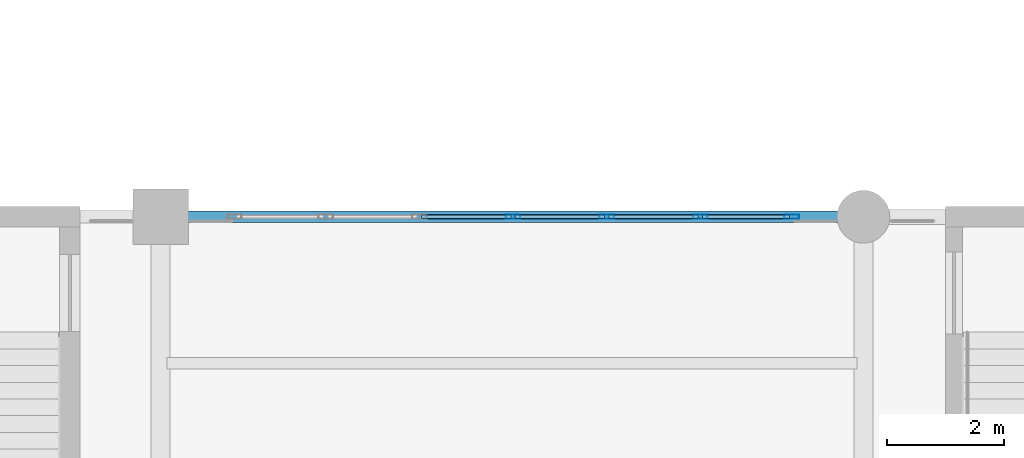
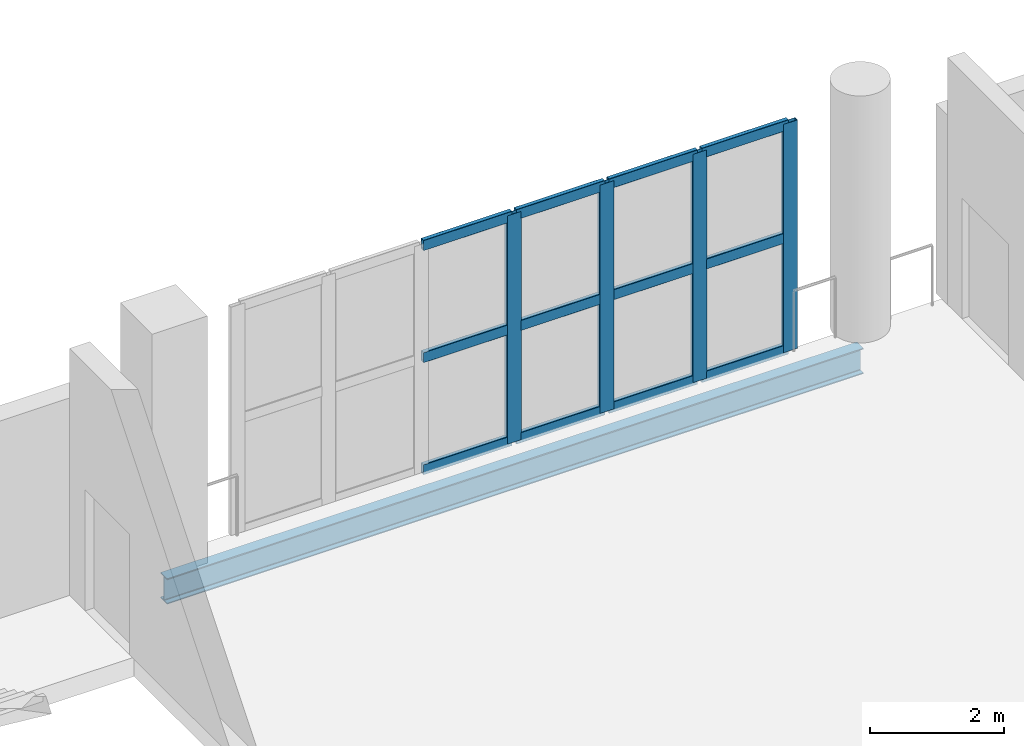
# One storey, part 47 of 90: 16 members, 1 beam, 1 element without a shape of its own.
"""IFC4 building model written with IfcOpenShell, lengths in metres."""

from ifc_helpers import new_model, si_unit, direction, frame, origin, origin_2d, place, context, subcontext, project, spatial, hollow_rectangle, i_section, extrude, material, layer, layer_set, material_profile, profile_set, type_object, element, aggregate, save


model = new_model("IFC4")

# Units and contexts
model_context = context("Model", 3, precision=1e-05, world=origin(), true_north=direction((0.0, 1.0)))
body_context = subcontext(model_context, "Body", "Model", "MODEL_VIEW")
ifc_project = project(units=[si_unit("LENGTHUNIT", "METRE"), si_unit("AREAUNIT", "SQUARE_METRE"), si_unit("VOLUMEUNIT", "CUBIC_METRE"), si_unit("PLANEANGLEUNIT", "RADIAN"), si_unit("MASSUNIT", "GRAM", prefix="KILO")], contexts=[model_context])

# Site, building, storey
site_placement = place(None, origin())
site = spatial("IfcSite", under=ifc_project, at=site_placement, CompositionType="ELEMENT")
building_placement = place(site_placement, origin())
building = spatial("IfcBuilding", under=site, at=building_placement, Name="Brinegate Civic Arena", CompositionType="ELEMENT")
storey_placement = place(building_placement, frame((0.0, 0.0, 14.699951171875)))
storey = spatial("IfcBuildingStorey", under=building, at=storey_placement, Name="L03", CompositionType="ELEMENT", Elevation=14.699951171875)

# Curtain wall, members
ifc_material_1 = material(Name="Marine grade aluminium", Category="aluminium")
ifc_layer = layer(ifc_material_1, 0.199951171875, Name="Marine grade aluminium")
ifc_layer_set = layer_set([ifc_layer], Name="Marine grade aluminium")
curtain_wall_type = type_object("IfcCurtainWallType", Name="CW-BOWL-GLAZED-01", PredefinedType="USERDEFINED", material=ifc_layer_set)
curtain_wall_placement = place(storey_placement, origin())
curtain_wall = element("IfcCurtainWall", 1, at=curtain_wall_placement, inside=storey, type_object=curtain_wall_type, Name="Curtain Wall CWA-132", ObjectType="GLAZED CURTAIN WALL", PredefinedType="USERDEFINED")
ifc_material_profile_1 = material_profile(ifc_material_1, hollow_rectangle(XDim=0.074951171875, YDim=0.25, WallThickness=0.006103515625, InnerFilletRadius=0.00390625, OuterFilletRadius=0.008056640625, at=origin_2d()), Name="MUL75X250")
ifc_profile_set_1 = profile_set([ifc_material_profile_1], Name="Marine grade aluminium")
member_type_1 = type_object("IfcMemberType", Name="CW-MULLION-75X250", PredefinedType="MULLION", material=ifc_profile_set_1)
member_1_placement = place(storey_placement, frame((150.01806640625, 114.0, 0.0), z_axis=(0.0, 0.0, 1.0), x_axis=(0.0, 1.0, 0.0)))
member_1 = element("IfcMember", 2, at=member_1_placement, type_object=member_type_1, Name="CWA-132 mullion 4", PredefinedType="MULLION", context=body_context, shape_type="SweptSolid", body=[
    extrude(hollow_rectangle(XDim=0.074951171875, YDim=0.25, WallThickness=0.006103515625, InnerFilletRadius=0.00390625, OuterFilletRadius=0.008056640625, at=origin_2d()), origin(), (0.0, 0.0, 1.0), 4.16015625),
])
member_2_placement = place(storey_placement, frame((151.61669921875, 114.0, 0.0), z_axis=(0.0, 0.0, 1.0), x_axis=(0.0, 1.0, 0.0)))
member_2 = element("IfcMember", 3, at=member_2_placement, type_object=member_type_1, Name="CWA-132 mullion 5", PredefinedType="MULLION", context=body_context, shape_type="SweptSolid", body=[
    extrude(hollow_rectangle(XDim=0.074951171875, YDim=0.25, WallThickness=0.006103515625, InnerFilletRadius=0.00390625, OuterFilletRadius=0.008056640625, at=origin_2d()), origin(), (0.0, 0.0, 1.0), 4.16015625),
])
member_3_placement = place(storey_placement, frame((153.21533203125, 114.0, 0.0), z_axis=(0.0, 0.0, 1.0), x_axis=(0.0, 1.0, 0.0)))
member_3 = element("IfcMember", 4, at=member_3_placement, type_object=member_type_1, Name="CWA-132 mullion 6", PredefinedType="MULLION", context=body_context, shape_type="SweptSolid", body=[
    extrude(hollow_rectangle(XDim=0.074951171875, YDim=0.25, WallThickness=0.006103515625, InnerFilletRadius=0.00390625, OuterFilletRadius=0.008056640625, at=origin_2d()), origin(), (0.0, 0.0, 1.0), 4.16015625),
])
member_4_placement = place(storey_placement, frame((154.776611328125, 114.0, 0.0), z_axis=(0.0, 0.0, 1.0), x_axis=(0.0, 1.0, 0.0)))
member_4 = element("IfcMember", 5, at=member_4_placement, type_object=member_type_1, Name="CWA-132 mullion 7", PredefinedType="MULLION", context=body_context, shape_type="SweptSolid", body=[
    extrude(hollow_rectangle(XDim=0.074951171875, YDim=0.25, WallThickness=0.006103515625, InnerFilletRadius=0.00390625, OuterFilletRadius=0.008056640625, at=origin_2d()), origin(), (0.0, 0.0, 1.0), 4.16015625),
])
ifc_material_profile_2 = material_profile(ifc_material_1, hollow_rectangle(XDim=0.074951171875, YDim=0.18994140625, WallThickness=0.006103515625, InnerFilletRadius=0.00390625, OuterFilletRadius=0.008056640625, at=origin_2d()), Name="TRN75X190")
ifc_profile_set_2 = profile_set([ifc_material_profile_2], Name="Marine grade aluminium")
member_type_2 = type_object("IfcMemberType", Name="CW-TRANSOM-75X190", PredefinedType="USERDEFINED", material=ifc_profile_set_2)
member_5_placement = place(storey_placement, frame((148.456787109375, 114.0, 0.03759765625), z_axis=(1.0, 0.0, 0.0), x_axis=(0.0, 1.0, 0.0)))
member_5 = element("IfcMember", 6, at=member_5_placement, type_object=member_type_2, Name="CWA-132 transom 3.1", ObjectType="TRANSOM", PredefinedType="USERDEFINED", context=body_context, shape_type="SweptSolid", body=[
    extrude(hollow_rectangle(XDim=0.074951171875, YDim=0.18994140625, WallThickness=0.006103515625, InnerFilletRadius=0.00390625, OuterFilletRadius=0.008056640625, at=origin_2d()), origin(), (0.0, 0.0, 1.0), 1.523681640625),
])
member_6_placement = place(storey_placement, frame((148.456787109375, 114.0, 2.080078125), z_axis=(1.0, 0.0, 0.0), x_axis=(0.0, 1.0, 0.0)))
member_6 = element("IfcMember", 7, at=member_6_placement, type_object=member_type_2, Name="CWA-132 transom 3.2", ObjectType="TRANSOM", PredefinedType="USERDEFINED", context=body_context, shape_type="SweptSolid", body=[
    extrude(hollow_rectangle(XDim=0.074951171875, YDim=0.18994140625, WallThickness=0.006103515625, InnerFilletRadius=0.00390625, OuterFilletRadius=0.008056640625, at=origin_2d()), origin(), (0.0, 0.0, 1.0), 1.523681640625),
])
member_7_placement = place(storey_placement, frame((148.456787109375, 114.0, 4.12255859375), z_axis=(1.0, 0.0, 0.0), x_axis=(0.0, 1.0, 0.0)))
member_7 = element("IfcMember", 8, at=member_7_placement, type_object=member_type_2, Name="CWA-132 transom 3.3", ObjectType="TRANSOM", PredefinedType="USERDEFINED", context=body_context, shape_type="SweptSolid", body=[
    extrude(hollow_rectangle(XDim=0.074951171875, YDim=0.18994140625, WallThickness=0.006103515625, InnerFilletRadius=0.00390625, OuterFilletRadius=0.008056640625, at=origin_2d()), origin(), (0.0, 0.0, 1.0), 1.523681640625),
])
member_8_placement = place(storey_placement, frame((150.055419921875, 114.0, 0.03759765625), z_axis=(1.0, 0.0, 0.0), x_axis=(0.0, 1.0, 0.0)))
member_8 = element("IfcMember", 9, at=member_8_placement, type_object=member_type_2, Name="CWA-132 transom 4.1", ObjectType="TRANSOM", PredefinedType="USERDEFINED", context=body_context, shape_type="SweptSolid", body=[
    extrude(hollow_rectangle(XDim=0.074951171875, YDim=0.18994140625, WallThickness=0.006103515625, InnerFilletRadius=0.00390625, OuterFilletRadius=0.008056640625, at=origin_2d()), origin(), (0.0, 0.0, 1.0), 1.523681640625),
])
member_9_placement = place(storey_placement, frame((150.055419921875, 114.0, 2.080078125), z_axis=(1.0, 0.0, 0.0), x_axis=(0.0, 1.0, 0.0)))
member_9 = element("IfcMember", 10, at=member_9_placement, type_object=member_type_2, Name="CWA-132 transom 4.2", ObjectType="TRANSOM", PredefinedType="USERDEFINED", context=body_context, shape_type="SweptSolid", body=[
    extrude(hollow_rectangle(XDim=0.074951171875, YDim=0.18994140625, WallThickness=0.006103515625, InnerFilletRadius=0.00390625, OuterFilletRadius=0.008056640625, at=origin_2d()), origin(), (0.0, 0.0, 1.0), 1.523681640625),
])
member_10_placement = place(storey_placement, frame((150.055419921875, 114.0, 4.12255859375), z_axis=(1.0, 0.0, 0.0), x_axis=(0.0, 1.0, 0.0)))
member_10 = element("IfcMember", 11, at=member_10_placement, type_object=member_type_2, Name="CWA-132 transom 4.3", ObjectType="TRANSOM", PredefinedType="USERDEFINED", context=body_context, shape_type="SweptSolid", body=[
    extrude(hollow_rectangle(XDim=0.074951171875, YDim=0.18994140625, WallThickness=0.006103515625, InnerFilletRadius=0.00390625, OuterFilletRadius=0.008056640625, at=origin_2d()), origin(), (0.0, 0.0, 1.0), 1.523681640625),
])
member_11_placement = place(storey_placement, frame((151.654052734375, 114.0, 0.03759765625), z_axis=(1.0, 0.0, 0.0), x_axis=(0.0, 1.0, 0.0)))
member_11 = element("IfcMember", 12, at=member_11_placement, type_object=member_type_2, Name="CWA-132 transom 5.1", ObjectType="TRANSOM", PredefinedType="USERDEFINED", context=body_context, shape_type="SweptSolid", body=[
    extrude(hollow_rectangle(XDim=0.074951171875, YDim=0.18994140625, WallThickness=0.006103515625, InnerFilletRadius=0.00390625, OuterFilletRadius=0.008056640625, at=origin_2d()), origin(), (0.0, 0.0, 1.0), 1.523681640625),
])
member_12_placement = place(storey_placement, frame((151.654052734375, 114.0, 2.080078125), z_axis=(1.0, 0.0, 0.0), x_axis=(0.0, 1.0, 0.0)))
member_12 = element("IfcMember", 13, at=member_12_placement, type_object=member_type_2, Name="CWA-132 transom 5.2", ObjectType="TRANSOM", PredefinedType="USERDEFINED", context=body_context, shape_type="SweptSolid", body=[
    extrude(hollow_rectangle(XDim=0.074951171875, YDim=0.18994140625, WallThickness=0.006103515625, InnerFilletRadius=0.00390625, OuterFilletRadius=0.008056640625, at=origin_2d()), origin(), (0.0, 0.0, 1.0), 1.523681640625),
])
member_13_placement = place(storey_placement, frame((151.654052734375, 114.0, 4.12255859375), z_axis=(1.0, 0.0, 0.0), x_axis=(0.0, 1.0, 0.0)))
member_13 = element("IfcMember", 14, at=member_13_placement, type_object=member_type_2, Name="CWA-132 transom 5.3", ObjectType="TRANSOM", PredefinedType="USERDEFINED", context=body_context, shape_type="SweptSolid", body=[
    extrude(hollow_rectangle(XDim=0.074951171875, YDim=0.18994140625, WallThickness=0.006103515625, InnerFilletRadius=0.00390625, OuterFilletRadius=0.008056640625, at=origin_2d()), origin(), (0.0, 0.0, 1.0), 1.523681640625),
])
member_14_placement = place(storey_placement, frame((153.2529296875, 114.0, 0.03759765625), z_axis=(1.0, 0.0, 0.0), x_axis=(0.0, 1.0, 0.0)))
member_14 = element("IfcMember", 15, at=member_14_placement, type_object=member_type_2, Name="CWA-132 transom 6.1", ObjectType="TRANSOM", PredefinedType="USERDEFINED", context=body_context, shape_type="SweptSolid", body=[
    extrude(hollow_rectangle(XDim=0.074951171875, YDim=0.18994140625, WallThickness=0.006103515625, InnerFilletRadius=0.00390625, OuterFilletRadius=0.008056640625, at=origin_2d()), origin(), (0.0, 0.0, 1.0), 1.486083984375),
])
member_15_placement = place(storey_placement, frame((153.2529296875, 114.0, 2.080078125), z_axis=(1.0, 0.0, 0.0), x_axis=(0.0, 1.0, 0.0)))
member_15 = element("IfcMember", 16, at=member_15_placement, type_object=member_type_2, Name="CWA-132 transom 6.2", ObjectType="TRANSOM", PredefinedType="USERDEFINED", context=body_context, shape_type="SweptSolid", body=[
    extrude(hollow_rectangle(XDim=0.074951171875, YDim=0.18994140625, WallThickness=0.006103515625, InnerFilletRadius=0.00390625, OuterFilletRadius=0.008056640625, at=origin_2d()), origin(), (0.0, 0.0, 1.0), 1.486083984375),
])
member_16_placement = place(storey_placement, frame((153.2529296875, 114.0, 4.12255859375), z_axis=(1.0, 0.0, 0.0), x_axis=(0.0, 1.0, 0.0)))
member_16 = element("IfcMember", 17, at=member_16_placement, type_object=member_type_2, Name="CWA-132 transom 6.3", ObjectType="TRANSOM", PredefinedType="USERDEFINED", context=body_context, shape_type="SweptSolid", body=[
    extrude(hollow_rectangle(XDim=0.074951171875, YDim=0.18994140625, WallThickness=0.006103515625, InnerFilletRadius=0.00390625, OuterFilletRadius=0.008056640625, at=origin_2d()), origin(), (0.0, 0.0, 1.0), 1.486083984375),
])
aggregate(curtain_wall, [member_1, member_2, member_3, member_4, member_5, member_6, member_7, member_8, member_9, member_10, member_11, member_12, member_13, member_14, member_15, member_16])

# Beam
ifc_material_2 = material(Name="Steel S355", Category="steel")
ifc_material_profile_3 = material_profile(ifc_material_2, i_section(OverallWidth=0.193115234375, OverallDepth=0.466064453125, WebThickness=0.010986328125, FlangeThickness=0.01904296875, FilletRadius=0.014892578125, at=origin_2d()), Name="W460X97")
ifc_profile_set_3 = profile_set([ifc_material_profile_3], Name="Steel S355")
beam_type = type_object("IfcBeamType", Name="SPANDREL-W460X97", PredefinedType="SPANDREL", material=ifc_profile_set_3)
beam_placement = place(storey_placement, frame((144.0, 114.0, -0.5830078125), z_axis=(1.0, 0.0, 0.0), x_axis=(0.0, 1.0, 0.0)))
element("IfcBeam", 18, at=beam_placement, inside=storey, type_object=beam_type, Name="Floor Girder BM-L03-GX-12-11", PredefinedType="SPANDREL", context=body_context, shape_type="SweptSolid", body=[
    extrude(i_section(OverallWidth=0.193115234375, OverallDepth=0.466064453125, WebThickness=0.010986328125, FlangeThickness=0.01904296875, FilletRadius=0.014892578125, at=origin_2d()), origin(), (0.0, 0.0, 1.0), 12.0),
])

save(model, "model.ifc")
